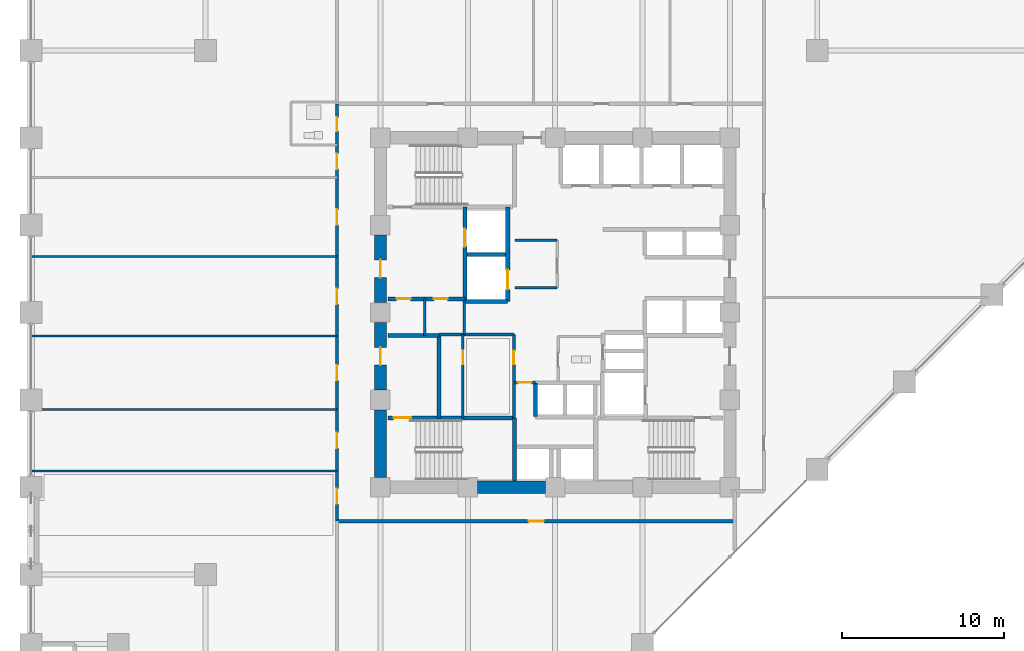
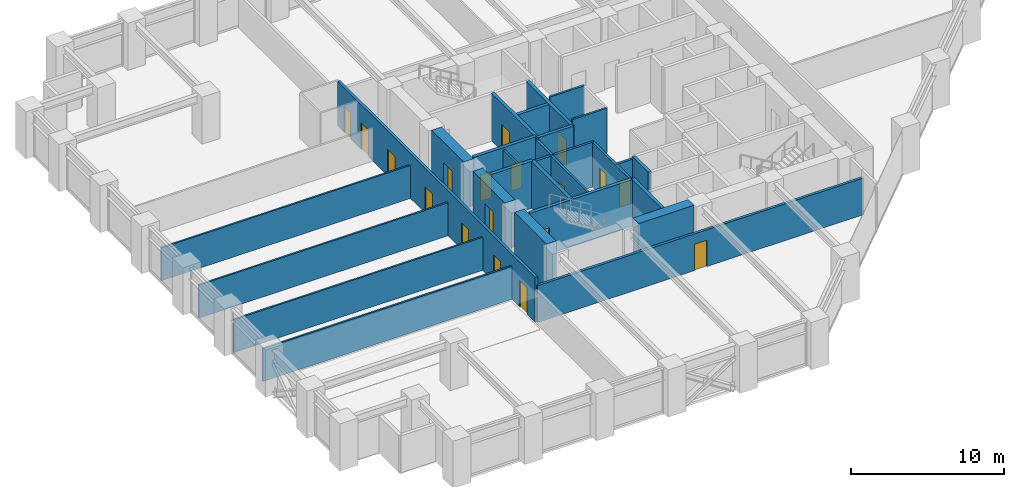
# One storey, part 20 of 25: 28 walls, 18 doors, 18 openings.
"""IFC4 building model written with IfcOpenShell, lengths in metres."""

import ifcopenshell
import ifcopenshell.guid

model = None  # the IFC model being written
_history = None  # IfcOwnerHistory: only IFC2X3 demands one
_inside = {}  # id of a spatial element -> (the spatial element, [elements in it])
_under = {}  # id of a project, library or spatial element -> (it, [spatial elements below it])
_declared = {}  # id of a project -> (the project, [libraries it declares])
_typed = {}  # id of a type object -> (the type object, [elements of that type])
_made_of = {}  # id of a material, layer set ... -> (it, [elements and type objects made of it])


def new_model(schema):
    """Start an empty IFC model of exactly this schema.

    Asked for "IFC4X3", IfcOpenShell would pick the latest addendum, in which some entities
    have other attributes; the version numbers below select the first issue.
    IFC2X3 requires an IfcOwnerHistory on every rooted entity: one is made here for all.
    """
    global model, _history
    if schema == "IFC4X3":
        model = ifcopenshell.file(schema_version=(4, 3, 0, 0))
    else:
        model = ifcopenshell.file(schema=schema)
    _inside.clear()
    _under.clear()
    _declared.clear()
    _typed.clear()
    _made_of.clear()
    _history = None
    if model.schema == "IFC2X3":
        org = make("IfcOrganization", Name="unknown")
        user = make(
            "IfcPersonAndOrganization",
            ThePerson=make("IfcPerson", FamilyName="unknown"),
            TheOrganization=org,
        )
        app = make(
            "IfcApplication",
            ApplicationDeveloper=org,
            Version="unknown",
            ApplicationFullName="unknown",
            ApplicationIdentifier="unknown",
        )
        _history = make(
            "IfcOwnerHistory",
            OwningUser=user,
            OwningApplication=app,
            ChangeAction="ADDED",
            CreationDate=0,
        )
    return model


def make(cls, **values):
    """One entity of the class cls with the attributes given. An attribute that is None is left unset."""
    return model.create_entity(
        cls, **{name: value for name, value in values.items() if value is not None}
    )


def rooted(cls, **values):
    """An entity with a GlobalId (a new one), such as an element, a storey or a relation."""
    return make(cls, GlobalId=ifcopenshell.guid.new(), OwnerHistory=_history, **values)


def si_unit(unit_type, name, prefix=None):
    """IfcSIUnit, for example si_unit("LENGTHUNIT", "METRE", prefix="MILLI")."""
    return make("IfcSIUnit", UnitType=unit_type, Prefix=prefix, Name=name)


def assignment(units):
    """IfcUnitAssignment: the units of a project."""
    return None if units is None else make("IfcUnitAssignment", Units=units)


def point(xyz):
    """IfcCartesianPoint."""
    return None if xyz is None else make("IfcCartesianPoint", Coordinates=xyz)


def direction(xyz):
    """IfcDirection."""
    return None if xyz is None else make("IfcDirection", DirectionRatios=xyz)


def frame(location, z_axis=None, x_axis=None):
    """IfcAxis2Placement3D, a coordinate frame: its origin and axes. An axis left out is left unset."""
    return make(
        "IfcAxis2Placement3D",
        Location=point(location),
        Axis=direction(z_axis),
        RefDirection=direction(x_axis),
    )


def frame_2d(location, x_axis=None):
    """IfcAxis2Placement2D, a coordinate frame in the plane: its origin and x axis."""
    return make(
        "IfcAxis2Placement2D", Location=point(location), RefDirection=direction(x_axis)
    )


def origin():
    """The frame at (0, 0, 0) with its axes left unset."""
    return frame((0.0, 0.0, 0.0))


def place(relative_to, where):
    """IfcLocalPlacement: puts the frame where relative to a parent placement (None: the world)."""
    return make(
        "IfcLocalPlacement", PlacementRelTo=relative_to, RelativePlacement=where
    )


def context(
    kind, dimensions, precision=None, world=None, true_north=None, identifier=None
):
    """IfcGeometricRepresentationContext, for example the 3D "Model" context."""
    return make(
        "IfcGeometricRepresentationContext",
        ContextIdentifier=identifier,
        ContextType=kind,
        CoordinateSpaceDimension=dimensions,
        Precision=precision,
        WorldCoordinateSystem=world,
        TrueNorth=true_north,
    )


def subcontext(parent, identifier, kind, view, scale=None):
    """IfcGeometricRepresentationSubContext, for example "Body" below "Model"."""
    return make(
        "IfcGeometricRepresentationSubContext",
        ContextIdentifier=identifier,
        ContextType=kind,
        ParentContext=parent,
        TargetScale=scale,
        TargetView=view,
    )


def project(units=None, contexts=None):
    """IfcProject with its units and contexts."""
    return rooted(
        "IfcProject",
        Name="project",
        RepresentationContexts=contexts,
        UnitsInContext=assignment(units),
    )


def spatial(cls, under=None, at=None, **own):
    """A site, building, storey or space (cls), placed at a placement, below another one or the project."""
    s = rooted(cls, ObjectPlacement=at, **own)
    if under is not None:
        _under.setdefault(under.id(), (under, []))[1].append(s)
    return s


def profile(cls, at=None, kind="AREA", **sizes):
    """A parametric profile (cls). Its sizes go by their IFC names, for example OverallWidth=200.0."""
    return make(cls, ProfileType=kind, Position=at, **sizes)


def rectangle(**sizes):
    """IfcRectangleProfileDef."""
    return profile("IfcRectangleProfileDef", **sizes)


def extrude(swept, where, along, depth):
    """IfcExtrudedAreaSolid: the profile swept, set in the frame where, extruded along a direction by depth."""
    return make(
        "IfcExtrudedAreaSolid",
        SweptArea=swept,
        Position=where,
        ExtrudedDirection=direction(along),
        Depth=depth,
    )


def shape(context_of_items, identifier, shape_type, items):
    """IfcShapeRepresentation: the items that make up one representation, for example the "Body"."""
    return make(
        "IfcShapeRepresentation",
        ContextOfItems=context_of_items,
        RepresentationIdentifier=identifier,
        RepresentationType=shape_type,
        Items=items,
    )


def material(Name=None, Category=None):
    """IfcMaterial."""
    return make("IfcMaterial", Name=Name, Category=Category)


def layer(
    of_material, thickness, ventilated=None, Name=None, Category=None, Priority=None
):
    """IfcMaterialLayer: one layer of a wall or slab, of a material (None: an air gap)."""
    return make(
        "IfcMaterialLayer",
        Material=of_material,
        LayerThickness=thickness,
        IsVentilated=ventilated,
        Name=Name,
        Category=Category,
        Priority=Priority,
    )


def layer_set(layers, Name=None):
    """IfcMaterialLayerSet."""
    return make("IfcMaterialLayerSet", MaterialLayers=layers, LayerSetName=Name)


def made_of(thing, what):
    """Note that an element or type object is made of a material, layer set ...; save() writes the relation."""
    if what is not None:
        _made_of.setdefault(what.id(), (what, []))[1].append(thing)
    return thing


def type_object(cls, material=None, **own):
    """A type object (cls), such as IfcWallType, which elements share."""
    return made_of(rooted(cls, **own), material)


def element(
    cls,
    number,
    at=None,
    inside=None,
    cuts=None,
    type_object=None,
    material=None,
    context=None,
    identifier="Body",
    shape_type=None,
    held_by="IfcProductDefinitionShape",
    body=None,
    shapes=None,
    **own,
):
    """One element of the class cls, such as IfcWall. Its Tag is "e" and its number.

    at: its placement. inside: the storey or other place that contains it. cuts: it is an
    opening in that element (IfcRelVoidsElement). A single representation is given by context,
    identifier, shape_type and body (its items); several are given by shapes. held_by: the class
    of the entity that holds the representations. save() writes the other relations.
    """
    e = rooted(cls, Tag="e%d" % number, ObjectPlacement=at, **own)
    if body is not None:
        shapes = [shape(context, identifier, shape_type, body)]
    if shapes is not None:
        e.Representation = make(held_by, Representations=shapes)
    if inside is not None:
        _inside.setdefault(inside.id(), (inside, []))[1].append(e)
    if cuts is not None:
        rooted(
            "IfcRelVoidsElement", RelatingBuildingElement=cuts, RelatedOpeningElement=e
        )
    if type_object is not None:
        _typed.setdefault(type_object.id(), (type_object, []))[1].append(e)
    return made_of(e, material)


def fill(opening, filler):
    """IfcRelFillsElement: the door or window that sits in an opening."""
    return rooted(
        "IfcRelFillsElement",
        RelatingOpeningElement=opening,
        RelatedBuildingElement=filler,
    )


def aggregate(whole, parts):
    """IfcRelAggregates: a whole, such as a stair, and the parts it consists of."""
    return rooted("IfcRelAggregates", RelatingObject=whole, RelatedObjects=parts)


def save(model, path):
    """Write the relations noted so far, then the file.

    IfcRelAggregates (storeys below a building ...), IfcRelContainedInSpatialStructure (elements
    in a storey), IfcRelDefinesByType, IfcRelAssociatesMaterial and IfcRelDeclares: one each for
    every whole, place, type object, material and project.
    """
    for whole, parts in _under.values():
        aggregate(whole, parts)
    for where, things in _inside.values():
        rooted(
            "IfcRelContainedInSpatialStructure",
            RelatedElements=things,
            RelatingStructure=where,
        )
    for kind, things in _typed.values():
        rooted("IfcRelDefinesByType", RelatedObjects=things, RelatingType=kind)
    for what, things in _made_of.values():
        rooted("IfcRelAssociatesMaterial", RelatedObjects=things, RelatingMaterial=what)
    for by, libraries in _declared.values():
        rooted("IfcRelDeclares", RelatingContext=by, RelatedDefinitions=libraries)
    model.write(path)


model = new_model("IFC4")

# Units and contexts
model_context = context("Model", 3, precision=1e-05, world=origin(), true_north=direction((0.0, 1.0)))
body_context = subcontext(model_context, "Body", "Model", "MODEL_VIEW")
ifc_project = project(units=[si_unit("LENGTHUNIT", "METRE"), si_unit("AREAUNIT", "SQUARE_METRE"), si_unit("VOLUMEUNIT", "CUBIC_METRE"), si_unit("PLANEANGLEUNIT", "RADIAN"), si_unit("MASSUNIT", "GRAM", prefix="KILO")], contexts=[model_context])

# Site, building, storey
site_placement = place(None, origin())
site = spatial("IfcSite", under=ifc_project, at=site_placement, CompositionType="ELEMENT")
building_placement = place(site_placement, origin())
building = spatial("IfcBuilding", under=site, at=building_placement, Name="Surkhivell Harbour Commons", CompositionType="ELEMENT")
storey_placement = place(building_placement, frame((0.0, 0.0, 41.25)))
storey = spatial("IfcBuildingStorey", under=building, at=storey_placement, Name="L10", CompositionType="ELEMENT", Elevation=41.25)

# Walls
ifc_material_1 = material(Name="Concrete C60/75", Category="concrete")
ifc_layer_1 = layer(ifc_material_1, 0.75)
ifc_layer_set_1 = layer_set([ifc_layer_1], Name="Concrete C60/75")
wall_type_1 = type_object("IfcWallType", Name="WAL-CORE-750", PredefinedType="SHEAR", material=ifc_layer_set_1)
for number, where, z_axis, x_axis, name in (
    (1, (-10.800048828125, -10.18994140625, 0.0), (0.0, 0.0, 1.0), (0.0, 1.0, 0.0), "L10 Core Shear Wall West 1"),
    (2, (-4.7900390625, -10.800048828125, 0.0), (0.0, 0.0, 1.0), (1.0, 0.0, 0.0), "L10 Core Shear Wall South 2"),
):
    element("IfcWall", number, at=place(storey_placement, frame(where, z_axis=z_axis, x_axis=x_axis)), inside=storey, type_object=wall_type_1, Name=name, PredefinedType="SHEAR", context=body_context, shape_type="SweptSolid", body=[
        extrude(rectangle(XDim=4.179931640625, YDim=0.75, at=frame_2d((2.08984375, 0.0))), origin(), (0.0, 0.0, 1.0), 3.75),
    ])

# Wall, opening, door
wall_1_placement = place(storey_placement, frame((-10.800048828125, -4.7900390625, 0.0), z_axis=(0.0, 0.0, 1.0), x_axis=(0.0, 1.0, 0.0)))
wall_1 = element("IfcWall", 3, at=wall_1_placement, inside=storey, type_object=wall_type_1, Name="L10 Core Shear Wall West 2", PredefinedType="SHEAR", context=body_context, shape_type="SweptSolid", body=[
    extrude(rectangle(XDim=4.179931640625, YDim=0.75, at=frame_2d((2.08984375, 0.0))), origin(), (0.0, 0.0, 1.0), 3.75),
])
opening_1_placement = place(wall_1_placement, frame((1.5400390625, 0.0, 0.0)))
opening_1 = element("IfcOpeningElement", 4, at=opening_1_placement, cuts=wall_1, Name="Opening ID-2", PredefinedType="OPENING", context=body_context, shape_type="SweptSolid", body=[
    extrude(rectangle(XDim=1.10009765625, YDim=2.10009765625, at=frame_2d((0.550048828125, 1.050048828125))), frame((0.0, 0.385009765625, 0.0), z_axis=(0.0, -1.0, 0.0), x_axis=(1.0, 0.0, 0.0)), (0.0, 0.0, 1.0), 0.77001953125),
])
ifc_material_2 = material(Name="Hardwood-veneered fire-rated door leaf", Category="wood")
door_type_1 = type_object("IfcDoorType", Name="DOR-FD60-1100", OperationType="NOTDEFINED", PredefinedType="DOOR", material=ifc_material_2)
door_1_placement = place(opening_1_placement, origin())
door_1 = element("IfcDoor", 5, at=door_1_placement, inside=storey, type_object=door_type_1, Name="L10 Stair 3 Lobby Corridor Door", OperationType="SINGLE_SWING_LEFT", OverallHeight=2.10009765625, OverallWidth=1.10009765625, PredefinedType="DOOR", context=body_context, shape_type="SweptSolid", body=[
    extrude(rectangle(XDim=1.10009765625, YDim=2.10009765625, at=frame_2d((0.550048828125, 1.050048828125))), frame((0.0, 0.02490234375, 0.0), z_axis=(0.0, -1.0, 0.0), x_axis=(1.0, 0.0, 0.0)), (0.0, 0.0, 1.0), 0.050048828125),
])
fill(opening_1, door_1)

wall_2_placement = place(storey_placement, frame((-10.800048828125, 0.610107421875, 0.0), z_axis=(0.0, 0.0, 1.0), x_axis=(0.0, 1.0, 0.0)))
wall_2 = element("IfcWall", 6, at=wall_2_placement, inside=storey, type_object=wall_type_1, Name="L10 Core Shear Wall West 3", PredefinedType="SHEAR", context=body_context, shape_type="SweptSolid", body=[
    extrude(rectangle(XDim=4.179931640625, YDim=0.75, at=frame_2d((2.08984375, 0.0))), origin(), (0.0, 0.0, 1.0), 3.75),
])
opening_2_placement = place(wall_2_placement, frame((1.5400390625, 0.0, 0.0)))
opening_2 = element("IfcOpeningElement", 7, at=opening_2_placement, cuts=wall_2, Name="Opening ID-1", PredefinedType="OPENING", context=body_context, shape_type="SweptSolid", body=[
    extrude(rectangle(XDim=1.10009765625, YDim=2.10009765625, at=frame_2d((0.550048828125, 1.050048828125))), frame((0.0, 0.385009765625, 0.0), z_axis=(0.0, -1.0, 0.0), x_axis=(1.0, 0.0, 0.0)), (0.0, 0.0, 1.0), 0.77001953125),
])
door_type_2 = type_object("IfcDoorType", Name="DOR-FD120-1100", OperationType="NOTDEFINED", PredefinedType="DOOR", material=ifc_material_2)
door_2_placement = place(opening_2_placement, origin())
door_2 = element("IfcDoor", 8, at=door_2_placement, inside=storey, type_object=door_type_2, Name="L10 Firefighting Lobby 1 Corridor Door", OperationType="SINGLE_SWING_LEFT", OverallHeight=2.10009765625, OverallWidth=1.10009765625, PredefinedType="DOOR", context=body_context, shape_type="SweptSolid", body=[
    extrude(rectangle(XDim=1.10009765625, YDim=2.10009765625, at=frame_2d((0.550048828125, 1.050048828125))), frame((0.0, 0.02490234375, 0.0), z_axis=(0.0, -1.0, 0.0), x_axis=(1.0, 0.0, 0.0)), (0.0, 0.0, 1.0), 0.050048828125),
])
fill(opening_2, door_2)

# Walls
ifc_material_3 = material(Name="Moisture-resistant acoustic stud partition", Category="other")
ifc_layer_2 = layer(ifc_material_3, 0.125)
ifc_layer_set_2 = layer_set([ifc_layer_2], Name="Moisture-resistant acoustic stud partition")
wall_type_2 = type_object("IfcWallType", Name="WAL-INT-125", PredefinedType="PARTITIONING", material=ifc_layer_set_2)
for number, where, z_axis, x_axis, name in (
    (9, (-32.340087890625, -5.989990234375, 0.0), (0.0, 0.0, 1.0), (1.0, 0.0, 0.0), "L10 West Partition BDP1"),
    (10, (-32.340087890625, -1.449951171875, 0.0), (0.0, 0.0, 1.0), (1.0, 0.0, 0.0), "L10 West Partition BDP2"),
    (11, (-32.340087890625, 3.449951171875, 0.0), (0.0, 0.0, 1.0), (1.0, 0.0, 0.0), "L10 West Partition BDP3"),
    (12, (-32.340087890625, -9.800048828125, 0.0), (0.0, 0.0, 1.0), (1.0, 0.0, 0.0), "L10 West Partition PBOT"),
):
    element("IfcWall", number, at=place(storey_placement, frame(where, z_axis=z_axis, x_axis=x_axis)), inside=storey, type_object=wall_type_2, Name=name, PredefinedType="PARTITIONING", context=body_context, shape_type="SweptSolid", body=[
        extrude(rectangle(XDim=18.860107421875, YDim=0.125, at=frame_2d((9.43017578125, 0.0))), origin(), (0.0, 0.0, 1.0), 2.62890625),
    ])

# Wall, opening, door
ifc_material_4 = material(Name="Twin-stud acoustic fireboard partition", Category="other")
ifc_layer_3 = layer(ifc_material_4, 0.14990234375)
ifc_layer_set_3 = layer_set([ifc_layer_3], Name="Twin-stud acoustic fireboard partition")
wall_type_3 = type_object("IfcWallType", Name="WAL-INT-150", PredefinedType="PARTITIONING", material=ifc_layer_set_3)
wall_3_placement = place(storey_placement, frame((-5.699951171875, -6.510009765625, 0.0), z_axis=(0.0, 0.0, 1.0), x_axis=(0.0, 1.0, 0.0)))
wall_3 = element("IfcWall", 13, at=wall_3_placement, inside=storey, type_object=wall_type_3, Name="L10 Core Cut B Partition", PredefinedType="PARTITIONING", context=body_context, shape_type="SweptSolid", body=[
    extrude(rectangle(XDim=5.159912109375, YDim=0.14990234375, at=frame_2d((2.580078125, 0.0))), origin(), (0.0, 0.0, 1.0), 3.570068359375),
])
opening_3_placement = place(wall_3_placement, frame((3.300048828125, 0.0, 0.0)))
opening_3 = element("IfcOpeningElement", 14, at=opening_3_placement, cuts=wall_3, Name="Opening ID-6", PredefinedType="OPENING", context=body_context, shape_type="SweptSolid", body=[
    extrude(rectangle(XDim=0.85009765625, YDim=2.10009765625, at=frame_2d((0.425048828125, 1.050048828125))), frame((0.0, 0.0849609375, 0.0), z_axis=(0.0, -1.0, 0.0), x_axis=(1.0, 0.0, 0.0)), (0.0, 0.0, 1.0), 0.169921875),
])
door_type_3 = type_object("IfcDoorType", Name="DOR-FD30-850", OperationType="NOTDEFINED", PredefinedType="DOOR", material=ifc_material_2)
door_3_placement = place(opening_3_placement, origin())
door_3 = element("IfcDoor", 15, at=door_3_placement, inside=storey, type_object=door_type_3, Name="L10 Core Focus Study Door", OperationType="SINGLE_SWING_RIGHT", OverallHeight=2.10009765625, OverallWidth=0.85009765625, PredefinedType="DOOR", context=body_context, shape_type="SweptSolid", body=[
    extrude(rectangle(XDim=0.85009765625, YDim=2.10009765625, at=frame_2d((0.425048828125, 1.050048828125))), frame((0.0, 0.02490234375, 0.0), z_axis=(0.0, -1.0, 0.0), x_axis=(1.0, 0.0, 0.0)), (0.0, 0.0, 1.0), 0.050048828125),
])
fill(opening_3, door_3)

# Walls
wall_4_placement = place(storey_placement, frame((-8.050048828125, -1.419921875, 0.0), z_axis=(0.0, 0.0, 1.0), x_axis=(0.0, 1.0, 0.0)))
element("IfcWall", 16, at=wall_4_placement, inside=storey, type_object=wall_type_3, Name="L10 West Seminar Booth Divider", PredefinedType="PARTITIONING", context=body_context, shape_type="SweptSolid", body=[
    extrude(rectangle(XDim=2.27001953125, YDim=0.14990234375, at=frame_2d((1.135009765625, 0.0))), origin(), (0.0, 0.0, 1.0), 3.570068359375),
])
for number, where, z_axis, x_axis, name in (
    (17, (-2.47998046875, 4.47998046875, 0.0), (0.0, 0.0, 1.0), (1.0, 0.0, 0.0), "L10 Central Reading North Wall"),
    (18, (-2.47998046875, 1.52001953125, 0.0), (0.0, 0.0, 1.0), (1.0, 0.0, 0.0), "L10 Central Reading South Wall"),
):
    element("IfcWall", number, at=place(storey_placement, frame(where, z_axis=z_axis, x_axis=x_axis)), inside=storey, type_object=wall_type_3, Name=name, PredefinedType="PARTITIONING", context=body_context, shape_type="SweptSolid", body=[
        extrude(rectangle(XDim=2.60009765625, YDim=0.14990234375, at=frame_2d((1.300048828125, 0.0))), origin(), (0.0, 0.0, 1.0), 3.570068359375),
    ])

# Wall, opening, door
ifc_material_5 = material(Name="High-density acoustic blockwork fire partition", Category="masonry")
ifc_layer_4 = layer(ifc_material_5, 0.175048828125)
ifc_layer_set_4 = layer_set([ifc_layer_4], Name="High-density acoustic blockwork fire partition")
wall_type_4 = type_object("IfcWallType", Name="WAL-INT-175", PredefinedType="PARTITIONING", material=ifc_layer_set_4)
wall_5_placement = place(storey_placement, frame((-2.550048828125, -6.510009765625, 0.0), z_axis=(0.0, 0.0, 1.0), x_axis=(0.0, 1.0, 0.0)))
wall_5 = element("IfcWall", 19, at=wall_5_placement, inside=storey, type_object=wall_type_4, Name="L10 Core Service Bay East Wall", PredefinedType="PARTITIONING", context=body_context, shape_type="SweptSolid", body=[
    extrude(rectangle(XDim=5.159912109375, YDim=0.175048828125, at=frame_2d((2.580078125, 0.0))), origin(), (0.0, 0.0, 1.0), 3.570068359375),
])
opening_4_placement = place(wall_5_placement, frame((3.300048828125, 0.0, 0.0)))
opening_4 = element("IfcOpeningElement", 20, at=opening_4_placement, cuts=wall_5, Name="Opening ID-6", PredefinedType="OPENING", context=body_context, shape_type="SweptSolid", body=[
    extrude(rectangle(XDim=0.85009765625, YDim=2.10009765625, at=frame_2d((0.425048828125, 1.050048828125))), frame((0.0, 0.097412109375, 0.0), z_axis=(0.0, -1.0, 0.0), x_axis=(1.0, 0.0, 0.0)), (0.0, 0.0, 1.0), 0.195068359375),
])
door_4_placement = place(opening_4_placement, origin())
door_4 = element("IfcDoor", 21, at=door_4_placement, inside=storey, type_object=door_type_3, Name="L10 Core Music Door", OperationType="SINGLE_SWING_LEFT", OverallHeight=2.10009765625, OverallWidth=0.85009765625, PredefinedType="DOOR", context=body_context, shape_type="SweptSolid", body=[
    extrude(rectangle(XDim=0.85009765625, YDim=2.10009765625, at=frame_2d((0.425048828125, 1.050048828125))), frame((0.0, 0.02490234375, 0.0), z_axis=(0.0, -1.0, 0.0), x_axis=(1.0, 0.0, 0.0)), (0.0, 0.0, 1.0), 0.050048828125),
])
fill(opening_4, door_4)

# Walls
wall_6_placement = place(storey_placement, frame((-7.179931640625, -1.35009765625, 0.0), z_axis=(0.0, 0.0, 1.0), x_axis=(1.0, 0.0, 0.0)))
element("IfcWall", 22, at=wall_6_placement, inside=storey, type_object=wall_type_4, Name="L10 Core Service Bay North Wall", PredefinedType="PARTITIONING", context=body_context, shape_type="SweptSolid", body=[
    extrude(rectangle(XDim=4.6298828125, YDim=0.175048828125, at=frame_2d((2.31494140625, 0.0))), origin(), (0.0, 0.0, 1.0), 3.570068359375),
])
wall_7_placement = place(storey_placement, frame((-5.6201171875, -1.35009765625, 0.0), z_axis=(0.0, 0.0, 1.0), x_axis=(0.0, 1.0, 0.0)))
element("IfcWall", 23, at=wall_7_placement, inside=storey, type_object=wall_type_4, Name="L10 West Core Bay East Wall", PredefinedType="PARTITIONING", context=body_context, shape_type="SweptSolid", body=[
    extrude(rectangle(XDim=2.070068359375, YDim=0.175048828125, at=frame_2d((1.03515625, 0.0))), origin(), (0.0, 0.0, 1.0), 3.570068359375),
])

# Wall, opening, door
wall_8_placement = place(storey_placement, frame((-2.52001953125, -4.320068359375, 0.0), z_axis=(0.0, 0.0, 1.0), x_axis=(1.0, 0.0, 0.0)))
wall_8 = element("IfcWall", 24, at=wall_8_placement, inside=storey, type_object=wall_type_4, Name="L10 High-Rise Lobby North Portal Wall", PredefinedType="PARTITIONING", context=body_context, shape_type="SweptSolid", body=[
    extrude(rectangle(XDim=1.300048828125, YDim=0.175048828125, at=frame_2d((0.64990234375, 0.0))), origin(), (0.0, 0.0, 1.0), 3.570068359375),
])
opening_5_placement = place(wall_8_placement, frame((0.219970703125, 0.0, 0.0)))
opening_5 = element("IfcOpeningElement", 25, at=opening_5_placement, cuts=wall_8, Name="Opening ID-6", PredefinedType="OPENING", context=body_context, shape_type="SweptSolid", body=[
    extrude(rectangle(XDim=0.85009765625, YDim=2.10009765625, at=frame_2d((0.425048828125, 1.050048828125))), frame((0.0, 0.097412109375, 0.0), z_axis=(0.0, -1.0, 0.0), x_axis=(1.0, 0.0, 0.0)), (0.0, 0.0, 1.0), 0.195068359375),
])
door_5_placement = place(opening_5_placement, origin())
door_5 = element("IfcDoor", 26, at=door_5_placement, inside=storey, type_object=door_type_3, Name="L10 High-Rise Lift Lobby North Door", OperationType="SINGLE_SWING_LEFT", OverallHeight=2.10009765625, OverallWidth=0.85009765625, PredefinedType="DOOR", context=body_context, shape_type="SweptSolid", body=[
    extrude(rectangle(XDim=0.85009765625, YDim=2.10009765625, at=frame_2d((0.425048828125, 1.050048828125))), frame((0.0, 0.02490234375, 0.0), z_axis=(0.0, -1.0, 0.0), x_axis=(1.0, 0.0, 0.0)), (0.0, 0.0, 1.0), 0.050048828125),
])
fill(opening_5, door_5)

ifc_material_6 = material(Name="Autoclaved aerated concrete blockwork and fire plaster", Category="masonry")
ifc_layer_5 = layer(ifc_material_6, 0.199951171875)
ifc_layer_set_5 = layer_set([ifc_layer_5], Name="Autoclaved aerated concrete blockwork and fire plaster")
wall_type_5 = type_object("IfcWallType", Name="WAL-INT-200", PredefinedType="PARTITIONING", material=ifc_layer_set_5)
wall_9_placement = place(storey_placement, frame((-13.47998046875, -12.89990234375, 0.0), z_axis=(0.0, 0.0, 1.0), x_axis=(1.0, 0.0, 0.0)))
wall_9 = element("IfcWall", 27, at=wall_9_placement, inside=storey, type_object=wall_type_5, Name="L10 Corridor South Wall", PredefinedType="PARTITIONING", context=body_context, shape_type="SweptSolid", body=[
    extrude(rectangle(XDim=24.580078125, YDim=0.199951171875, at=frame_2d((12.2900390625, 0.0))), origin(), (0.0, 0.0, 1.0), 2.929931640625),
])
opening_6_placement = place(wall_9_placement, frame((11.840087890625, 0.0, 0.0)))
opening_6 = element("IfcOpeningElement", 28, at=opening_6_placement, cuts=wall_9, Name="Opening ID-4", PredefinedType="OPENING", context=body_context, shape_type="SweptSolid", body=[
    extrude(rectangle(XDim=0.949951171875, YDim=2.10009765625, at=frame_2d((0.47509765625, 1.050048828125))), frame((0.0, 0.10986328125, 0.0), z_axis=(0.0, -1.0, 0.0), x_axis=(1.0, 0.0, 0.0)), (0.0, 0.0, 1.0), 0.219970703125),
])
door_type_4 = type_object("IfcDoorType", Name="DOR-FD60-950", OperationType="NOTDEFINED", PredefinedType="DOOR", material=ifc_material_2)
door_6_placement = place(opening_6_placement, origin())
door_6 = element("IfcDoor", 29, at=door_6_placement, inside=storey, type_object=door_type_4, Name="L10 Open Academic Study Commons Reading Library South Door", OperationType="SINGLE_SWING_LEFT", OverallHeight=2.10009765625, OverallWidth=0.949951171875, PredefinedType="DOOR", context=body_context, shape_type="SweptSolid", body=[
    extrude(rectangle(XDim=0.949951171875, YDim=2.10009765625, at=frame_2d((0.47509765625, 1.050048828125))), frame((0.0, 0.02490234375, 0.0), z_axis=(0.0, -1.0, 0.0), x_axis=(1.0, 0.0, 0.0)), (0.0, 0.0, 1.0), 0.050048828125),
])
fill(opening_6, door_6)

# Wall, openings, doors
wall_10_placement = place(storey_placement, frame((-13.47998046875, -12.89990234375, 0.0), z_axis=(0.0, 0.0, 1.0), x_axis=(0.0, 1.0, 0.0)))
wall_10 = element("IfcWall", 30, at=wall_10_placement, inside=storey, type_object=wall_type_5, Name="L10 Corridor West Wall", PredefinedType="PARTITIONING", context=body_context, shape_type="SweptSolid", body=[
    extrude(rectangle(XDim=25.7998046875, YDim=0.199951171875, at=frame_2d((12.89990234375, 0.0))), origin(), (0.0, 0.0, 1.0), 3.570068359375),
])
opening_7_placement = place(wall_10_placement, frame((1.070068359375, 0.0, 0.0)))
opening_7 = element("IfcOpeningElement", 31, at=opening_7_placement, cuts=wall_10, Name="Opening ID-4", PredefinedType="OPENING", context=body_context, shape_type="SweptSolid", body=[
    extrude(rectangle(XDim=0.949951171875, YDim=2.10009765625, at=frame_2d((0.47509765625, 1.050048828125))), frame((0.0, 0.10986328125, 0.0), z_axis=(0.0, -1.0, 0.0), x_axis=(1.0, 0.0, 0.0)), (0.0, 0.0, 1.0), 0.219970703125),
])
opening_8_placement = place(wall_10_placement, frame((24.10498046875, 0.0, 0.0)))
opening_8 = element("IfcOpeningElement", 32, at=opening_8_placement, cuts=wall_10, Name="Opening ID-6", PredefinedType="OPENING", context=body_context, shape_type="SweptSolid", body=[
    extrude(rectangle(XDim=0.85009765625, YDim=2.10009765625, at=frame_2d((0.425048828125, 1.050048828125))), frame((0.0, 0.10986328125, 0.0), z_axis=(0.0, -1.0, 0.0), x_axis=(1.0, 0.0, 0.0)), (0.0, 0.0, 1.0), 0.219970703125),
])
opening_9_placement = place(wall_10_placement, frame((21.77001953125, 0.0, 0.0)))
opening_9 = element("IfcOpeningElement", 33, at=opening_9_placement, cuts=wall_10, Name="Opening ID-4", PredefinedType="OPENING", context=body_context, shape_type="SweptSolid", body=[
    extrude(rectangle(XDim=0.949951171875, YDim=2.10009765625, at=frame_2d((0.47509765625, 1.050048828125))), frame((0.0, 0.10986328125, 0.0), z_axis=(0.0, -1.0, 0.0), x_axis=(1.0, 0.0, 0.0)), (0.0, 0.0, 1.0), 0.219970703125),
])
opening_10_placement = place(wall_10_placement, frame((4.52490234375, 0.0, 0.0)))
opening_10 = element("IfcOpeningElement", 34, at=opening_10_placement, cuts=wall_10, Name="Opening ID-4", PredefinedType="OPENING", context=body_context, shape_type="SweptSolid", body=[
    extrude(rectangle(XDim=0.949951171875, YDim=2.10009765625, at=frame_2d((0.47509765625, 1.050048828125))), frame((0.0, 0.10986328125, 0.0), z_axis=(0.0, -1.0, 0.0), x_axis=(1.0, 0.0, 0.0)), (0.0, 0.0, 1.0), 0.219970703125),
])
opening_11_placement = place(wall_10_placement, frame((8.699951171875, 0.0, 0.0)))
opening_11 = element("IfcOpeningElement", 35, at=opening_11_placement, cuts=wall_10, Name="Opening ID-4", PredefinedType="OPENING", context=body_context, shape_type="SweptSolid", body=[
    extrude(rectangle(XDim=0.949951171875, YDim=2.10009765625, at=frame_2d((0.47509765625, 1.050048828125))), frame((0.0, 0.10986328125, 0.0), z_axis=(0.0, -1.0, 0.0), x_axis=(1.0, 0.0, 0.0)), (0.0, 0.0, 1.0), 0.219970703125),
])
opening_12_placement = place(wall_10_placement, frame((13.419921875, 0.0, 0.0)))
opening_12 = element("IfcOpeningElement", 36, at=opening_12_placement, cuts=wall_10, Name="Opening ID-4", PredefinedType="OPENING", context=body_context, shape_type="SweptSolid", body=[
    extrude(rectangle(XDim=0.949951171875, YDim=2.10009765625, at=frame_2d((0.47509765625, 1.050048828125))), frame((0.0, 0.10986328125, 0.0), z_axis=(0.0, -1.0, 0.0), x_axis=(1.0, 0.0, 0.0)), (0.0, 0.0, 1.0), 0.219970703125),
])
opening_13_placement = place(wall_10_placement, frame((18.320068359375, 0.0, 0.0)))
opening_13 = element("IfcOpeningElement", 37, at=opening_13_placement, cuts=wall_10, Name="Opening ID-4", PredefinedType="OPENING", context=body_context, shape_type="SweptSolid", body=[
    extrude(rectangle(XDim=0.949951171875, YDim=2.10009765625, at=frame_2d((0.47509765625, 1.050048828125))), frame((0.0, 0.10986328125, 0.0), z_axis=(0.0, -1.0, 0.0), x_axis=(1.0, 0.0, 0.0)), (0.0, 0.0, 1.0), 0.219970703125),
])
door_7_placement = place(opening_8_placement, origin())
door_7 = element("IfcDoor", 38, at=door_7_placement, inside=storey, type_object=door_type_3, Name="L10 Communal Shower Bathroom West Door", OperationType="SINGLE_SWING_RIGHT", OverallHeight=2.10009765625, OverallWidth=0.85009765625, PredefinedType="DOOR", context=body_context, shape_type="SweptSolid", body=[
    extrude(rectangle(XDim=0.85009765625, YDim=2.10009765625, at=frame_2d((0.425048828125, 1.050048828125))), frame((0.0, 0.02490234375, 0.0), z_axis=(0.0, -1.0, 0.0), x_axis=(1.0, 0.0, 0.0)), (0.0, 0.0, 1.0), 0.050048828125),
])
fill(opening_8, door_7)
door_8_placement = place(opening_7_placement, origin())
door_8 = element("IfcDoor", 39, at=door_8_placement, inside=storey, type_object=door_type_4, Name="L10 Shared Communal Kitchen West Door", OperationType="SINGLE_SWING_LEFT", OverallHeight=2.10009765625, OverallWidth=0.949951171875, PredefinedType="DOOR", context=body_context, shape_type="SweptSolid", body=[
    extrude(rectangle(XDim=0.949951171875, YDim=2.10009765625, at=frame_2d((0.47509765625, 1.050048828125))), frame((0.0, 0.02490234375, 0.0), z_axis=(0.0, -1.0, 0.0), x_axis=(1.0, 0.0, 0.0)), (0.0, 0.0, 1.0), 0.050048828125),
])
fill(opening_7, door_8)
door_9_placement = place(opening_9_placement, origin())
door_9 = element("IfcDoor", 40, at=door_9_placement, inside=storey, type_object=door_type_4, Name="L10 Academic Reading Commons West Door", OperationType="SINGLE_SWING_LEFT", OverallHeight=2.10009765625, OverallWidth=0.949951171875, PredefinedType="DOOR", context=body_context, shape_type="SweptSolid", body=[
    extrude(rectangle(XDim=0.949951171875, YDim=2.10009765625, at=frame_2d((0.47509765625, 1.050048828125))), frame((0.0, 0.02490234375, 0.0), z_axis=(0.0, -1.0, 0.0), x_axis=(1.0, 0.0, 0.0)), (0.0, 0.0, 1.0), 0.050048828125),
])
fill(opening_9, door_9)
door_10_placement = place(opening_10_placement, origin())
door_10 = element("IfcDoor", 41, at=door_10_placement, inside=storey, type_object=door_type_4, Name="L10 Hostel Cluster Bedroom 1 West Door", OperationType="SINGLE_SWING_RIGHT", OverallHeight=2.10009765625, OverallWidth=0.949951171875, PredefinedType="DOOR", context=body_context, shape_type="SweptSolid", body=[
    extrude(rectangle(XDim=0.949951171875, YDim=2.10009765625, at=frame_2d((0.47509765625, 1.050048828125))), frame((0.0, 0.02490234375, 0.0), z_axis=(0.0, -1.0, 0.0), x_axis=(1.0, 0.0, 0.0)), (0.0, 0.0, 1.0), 0.050048828125),
])
fill(opening_10, door_10)
door_11_placement = place(opening_11_placement, origin())
door_11 = element("IfcDoor", 42, at=door_11_placement, inside=storey, type_object=door_type_4, Name="L10 Co-Living Dormitory Bedroom 2 West Door", OperationType="SINGLE_SWING_LEFT", OverallHeight=2.10009765625, OverallWidth=0.949951171875, PredefinedType="DOOR", context=body_context, shape_type="SweptSolid", body=[
    extrude(rectangle(XDim=0.949951171875, YDim=2.10009765625, at=frame_2d((0.47509765625, 1.050048828125))), frame((0.0, 0.02490234375, 0.0), z_axis=(0.0, -1.0, 0.0), x_axis=(1.0, 0.0, 0.0)), (0.0, 0.0, 1.0), 0.050048828125),
])
fill(opening_11, door_11)
door_12_placement = place(opening_12_placement, origin())
door_12 = element("IfcDoor", 43, at=door_12_placement, inside=storey, type_object=door_type_4, Name="L10 Hostel Cluster Bedroom 3 West Door", OperationType="SINGLE_SWING_RIGHT", OverallHeight=2.10009765625, OverallWidth=0.949951171875, PredefinedType="DOOR", context=body_context, shape_type="SweptSolid", body=[
    extrude(rectangle(XDim=0.949951171875, YDim=2.10009765625, at=frame_2d((0.47509765625, 1.050048828125))), frame((0.0, 0.02490234375, 0.0), z_axis=(0.0, -1.0, 0.0), x_axis=(1.0, 0.0, 0.0)), (0.0, 0.0, 1.0), 0.050048828125),
])
fill(opening_12, door_12)
door_13_placement = place(opening_13_placement, origin())
door_13 = element("IfcDoor", 44, at=door_13_placement, inside=storey, type_object=door_type_4, Name="L10 Co-Living Dormitory Bedroom 4 West Door", OperationType="SINGLE_SWING_LEFT", OverallHeight=2.10009765625, OverallWidth=0.949951171875, PredefinedType="DOOR", context=body_context, shape_type="SweptSolid", body=[
    extrude(rectangle(XDim=0.949951171875, YDim=2.10009765625, at=frame_2d((0.47509765625, 1.050048828125))), frame((0.0, 0.02490234375, 0.0), z_axis=(0.0, -1.0, 0.0), x_axis=(1.0, 0.0, 0.0)), (0.0, 0.0, 1.0), 0.050048828125),
])
fill(opening_13, door_13)

# Wall, opening, door
ifc_material_7 = material(Name="Concrete C50/60", Category="concrete")
ifc_layer_6 = layer(ifc_material_7, 0.25)
ifc_layer_set_6 = layer_set([ifc_layer_6], Name="Concrete C50/60")
wall_type_6 = type_object("IfcWallType", Name="WAL-SHAFT-250", PredefinedType="SHEAR", material=ifc_layer_set_6)
wall_11_placement = place(storey_placement, frame((-5.580078125, 0.719970703125, 0.0), z_axis=(0.0, 0.0, 1.0), x_axis=(0.0, 1.0, 0.0)))
wall_11 = element("IfcWall", 45, at=wall_11_placement, inside=storey, type_object=wall_type_6, Name="L10 Firefighting Lobby 1 East Shaft Wall", PredefinedType="SHEAR", context=body_context, shape_type="SweptSolid", body=[
    extrude(rectangle(XDim=5.7900390625, YDim=0.25, at=frame_2d((2.89501953125, 0.0))), origin(), (0.0, 0.0, 1.0), 3.75),
])
opening_14_placement = place(wall_11_placement, frame((3.35009765625, 0.0, 0.0)))
opening_14 = element("IfcOpeningElement", 46, at=opening_14_placement, cuts=wall_11, Name="Opening LD-1", PredefinedType="OPENING", context=body_context, shape_type="SweptSolid", body=[
    extrude(rectangle(XDim=1.10009765625, YDim=2.10009765625, at=frame_2d((0.550048828125, 1.050048828125))), frame((0.0, 0.135009765625, 0.0), z_axis=(0.0, -1.0, 0.0), x_axis=(1.0, 0.0, 0.0)), (0.0, 0.0, 1.0), 0.27001953125),
])
ifc_material_8 = material(Name="Brushed stainless steel S355", Category="steel")
door_type_5 = type_object("IfcDoorType", Name="DOR-LD-1100", OperationType="SLIDING_TO_LEFT", PredefinedType="DOOR", material=ifc_material_8)
door_14_placement = place(opening_14_placement, origin())
door_14 = element("IfcDoor", 47, at=door_14_placement, inside=storey, type_object=door_type_5, Name="L10 Lift Landing Door LD-FFL1", OperationType="SLIDING_TO_LEFT", OverallHeight=2.10009765625, OverallWidth=1.10009765625, PredefinedType="DOOR", context=body_context, shape_type="SweptSolid", body=[
    extrude(rectangle(XDim=1.10009765625, YDim=2.10009765625, at=frame_2d((0.550048828125, 1.050048828125))), frame((0.0, 0.02490234375, 0.0), z_axis=(0.0, -1.0, 0.0), x_axis=(1.0, 0.0, 0.0)), (0.0, 0.0, 1.0), 0.050048828125),
])
fill(opening_14, door_14)

# Wall, openings, doors
wall_12_placement = place(storey_placement, frame((-10.340087890625, 0.85009765625, 0.0), z_axis=(0.0, 0.0, 1.0), x_axis=(1.0, 0.0, 0.0)))
wall_12 = element("IfcWall", 48, at=wall_12_placement, inside=storey, type_object=wall_type_6, Name="L10 Firefighting Lobby 1 South Wall", PredefinedType="SHEAR", context=body_context, shape_type="SweptSolid", body=[
    extrude(rectangle(XDim=4.760009765625, YDim=0.25, at=frame_2d((2.3798828125, 0.0))), origin(), (0.0, 0.0, 1.0), 3.75),
])
opening_15_placement = place(wall_12_placement, frame((0.550048828125, 0.0, 0.0)))
opening_15 = element("IfcOpeningElement", 49, at=opening_15_placement, cuts=wall_12, Name="Opening ID-6", PredefinedType="OPENING", context=body_context, shape_type="SweptSolid", body=[
    extrude(rectangle(XDim=0.85009765625, YDim=2.10009765625, at=frame_2d((0.425048828125, 1.050048828125))), frame((0.0, 0.135009765625, 0.0), z_axis=(0.0, -1.0, 0.0), x_axis=(1.0, 0.0, 0.0)), (0.0, 0.0, 1.0), 0.27001953125),
])
opening_16_placement = place(wall_12_placement, frame((2.85009765625, 0.0, 0.0)))
opening_16 = element("IfcOpeningElement", 50, at=opening_16_placement, cuts=wall_12, Name="Opening ID-6", PredefinedType="OPENING", context=body_context, shape_type="SweptSolid", body=[
    extrude(rectangle(XDim=0.85009765625, YDim=2.10009765625, at=frame_2d((0.425048828125, 1.050048828125))), frame((0.0, 0.135009765625, 0.0), z_axis=(0.0, -1.0, 0.0), x_axis=(1.0, 0.0, 0.0)), (0.0, 0.0, 1.0), 0.27001953125),
])
door_15_placement = place(opening_15_placement, origin())
door_15 = element("IfcDoor", 51, at=door_15_placement, inside=storey, type_object=door_type_3, Name="L10 West Seminar 1 Door", OperationType="SINGLE_SWING_LEFT", OverallHeight=2.10009765625, OverallWidth=0.85009765625, PredefinedType="DOOR", context=body_context, shape_type="SweptSolid", body=[
    extrude(rectangle(XDim=0.85009765625, YDim=2.10009765625, at=frame_2d((0.425048828125, 1.050048828125))), frame((0.0, 0.02490234375, 0.0), z_axis=(0.0, -1.0, 0.0), x_axis=(1.0, 0.0, 0.0)), (0.0, 0.0, 1.0), 0.050048828125),
])
fill(opening_15, door_15)
door_16_placement = place(opening_16_placement, origin())
door_16 = element("IfcDoor", 52, at=door_16_placement, inside=storey, type_object=door_type_3, Name="L10 West Seminar 2 Door", OperationType="SINGLE_SWING_RIGHT", OverallHeight=2.10009765625, OverallWidth=0.85009765625, PredefinedType="DOOR", context=body_context, shape_type="SweptSolid", body=[
    extrude(rectangle(XDim=0.85009765625, YDim=2.10009765625, at=frame_2d((0.425048828125, 1.050048828125))), frame((0.0, 0.02490234375, 0.0), z_axis=(0.0, -1.0, 0.0), x_axis=(1.0, 0.0, 0.0)), (0.0, 0.0, 1.0), 0.050048828125),
])
fill(opening_16, door_16)

# Walls
wall_13_placement = place(storey_placement, frame((-1.219970703125, -6.43994140625, 0.0), z_axis=(0.0, 0.0, 1.0), x_axis=(0.0, 1.0, 0.0)))
element("IfcWall", 53, at=wall_13_placement, inside=storey, type_object=wall_type_6, Name="L10 High-Rise Passage East Shaft Wall", PredefinedType="SHEAR", context=body_context, shape_type="SweptSolid", body=[
    extrude(rectangle(XDim=2.079833984375, YDim=0.25, at=frame_2d((1.0400390625, 0.0))), origin(), (0.0, 0.0, 1.0), 3.75),
])
wall_14_placement = place(storey_placement, frame((-2.510009765625, -10.425048828125, 0.0), z_axis=(0.0, 0.0, 1.0), x_axis=(0.0, 1.0, 0.0)))
element("IfcWall", 54, at=wall_14_placement, inside=storey, type_object=wall_type_6, Name="L10 Stair ST3 East Shear Wall", PredefinedType="SHEAR", context=body_context, shape_type="SweptSolid", body=[
    extrude(rectangle(XDim=3.9150390625, YDim=0.25, at=frame_2d((1.95751953125, 0.0))), origin(), (0.0, 0.0, 1.0), 3.75),
])
wall_15_placement = place(storey_placement, frame((-7.179931640625, -6.510009765625, 0.0), z_axis=(0.0, 0.0, 1.0), x_axis=(0.0, 1.0, 0.0)))
element("IfcWall", 55, at=wall_15_placement, inside=storey, type_object=wall_type_6, Name="L10 Stair 3 Lobby East Wall", PredefinedType="SHEAR", context=body_context, shape_type="SweptSolid", body=[
    extrude(rectangle(XDim=5.090087890625, YDim=0.25, at=frame_2d((2.544921875, 0.0))), origin(), (0.0, 0.0, 1.0), 3.75),
])
wall_16_placement = place(storey_placement, frame((-10.340087890625, -1.419921875, 0.0), z_axis=(0.0, 0.0, 1.0), x_axis=(1.0, 0.0, 0.0)))
element("IfcWall", 56, at=wall_16_placement, inside=storey, type_object=wall_type_6, Name="L10 Stair 3 Lobby North Wall", PredefinedType="SHEAR", context=body_context, shape_type="SweptSolid", body=[
    extrude(rectangle(XDim=3.16015625, YDim=0.25, at=frame_2d((1.580078125, 0.0))), origin(), (0.0, 0.0, 1.0), 3.75),
])

# Wall, opening, door
wall_17_placement = place(storey_placement, frame((-10.340087890625, -6.510009765625, 0.0), z_axis=(0.0, 0.0, 1.0), x_axis=(1.0, 0.0, 0.0)))
wall_17 = element("IfcWall", 57, at=wall_17_placement, inside=storey, type_object=wall_type_6, Name="L10 Stair ST3 North Shear Wall", PredefinedType="SHEAR", context=body_context, shape_type="SweptSolid", body=[
    extrude(rectangle(XDim=7.7001953125, YDim=0.25, at=frame_2d((3.85009765625, 0.0))), origin(), (0.0, 0.0, 1.0), 3.75),
])
opening_17_placement = place(wall_17_placement, frame((0.35009765625, 0.0, 0.0)))
opening_17 = element("IfcOpeningElement", 58, at=opening_17_placement, cuts=wall_17, Name="Opening ID-2", PredefinedType="OPENING", context=body_context, shape_type="SweptSolid", body=[
    extrude(rectangle(XDim=1.10009765625, YDim=2.10009765625, at=frame_2d((0.550048828125, 1.050048828125))), frame((0.0, 0.135009765625, 0.0), z_axis=(0.0, -1.0, 0.0), x_axis=(1.0, 0.0, 0.0)), (0.0, 0.0, 1.0), 0.27001953125),
])
door_17_placement = place(opening_17_placement, origin())
door_17 = element("IfcDoor", 59, at=door_17_placement, inside=storey, type_object=door_type_1, Name="L10 Stair ST3 Exit Door", OperationType="SINGLE_SWING_RIGHT", OverallHeight=2.10009765625, OverallWidth=1.10009765625, PredefinedType="DOOR", context=body_context, shape_type="SweptSolid", body=[
    extrude(rectangle(XDim=1.10009765625, YDim=2.10009765625, at=frame_2d((0.550048828125, 1.050048828125))), frame((0.0, 0.02490234375, 0.0), z_axis=(0.0, -1.0, 0.0), x_axis=(1.0, 0.0, 0.0)), (0.0, 0.0, 1.0), 0.050048828125),
])
fill(opening_17, door_17)

wall_18_placement = place(storey_placement, frame((-2.929931640625, 0.679931640625, 0.0), z_axis=(0.0, 0.0, 1.0), x_axis=(0.0, 1.0, 0.0)))
wall_18 = element("IfcWall", 60, at=wall_18_placement, inside=storey, type_object=wall_type_6, Name="L10 Service and Fire Lift East Shaft Wall", PredefinedType="SHEAR", context=body_context, shape_type="SweptSolid", body=[
    extrude(rectangle(XDim=5.830078125, YDim=0.25, at=frame_2d((2.9150390625, 0.0))), origin(), (0.0, 0.0, 1.0), 3.75),
])
opening_18_placement = place(wall_18_placement, frame((0.75, 0.0, 0.0)))
opening_18 = element("IfcOpeningElement", 61, at=opening_18_placement, cuts=wall_18, Name="Opening LD-2", PredefinedType="OPENING", context=body_context, shape_type="SweptSolid", body=[
    extrude(rectangle(XDim=1.199951171875, YDim=2.10009765625, at=frame_2d((0.60009765625, 1.050048828125))), frame((0.0, 0.135009765625, 0.0), z_axis=(0.0, -1.0, 0.0), x_axis=(1.0, 0.0, 0.0)), (0.0, 0.0, 1.0), 0.27001953125),
])
door_type_6 = type_object("IfcDoorType", Name="DOR-LD-1200", OperationType="SLIDING_TO_LEFT", PredefinedType="DOOR", material=ifc_material_8)
door_18_placement = place(opening_18_placement, origin())
door_18 = element("IfcDoor", 62, at=door_18_placement, inside=storey, type_object=door_type_6, Name="L10 Lift Landing Door LD-SVL1", OperationType="SLIDING_TO_LEFT", OverallHeight=2.10009765625, OverallWidth=1.199951171875, PredefinedType="DOOR", context=body_context, shape_type="SweptSolid", body=[
    extrude(rectangle(XDim=1.199951171875, YDim=2.10009765625, at=frame_2d((0.60009765625, 1.050048828125))), frame((0.0, 0.02490234375, 0.0), z_axis=(0.0, -1.0, 0.0), x_axis=(1.0, 0.0, 0.0)), (0.0, 0.0, 1.0), 0.050048828125),
])
fill(opening_18, door_18)

# Walls
wall_19_placement = place(storey_placement, frame((-5.449951171875, 3.60009765625, 0.0), z_axis=(0.0, 0.0, 1.0), x_axis=(1.0, 0.0, 0.0)))
element("IfcWall", 63, at=wall_19_placement, inside=storey, type_object=wall_type_6, Name="L10 FFL1/SVL1 Shaft Divider", PredefinedType="SHEAR", context=body_context, shape_type="SweptSolid", body=[
    extrude(rectangle(XDim=2.389892578125, YDim=0.25, at=frame_2d((1.19482421875, 0.0))), origin(), (0.0, 0.0, 1.0), 3.75),
])
wall_20_placement = place(storey_placement, frame((-5.580078125, 0.679931640625, 0.0), z_axis=(0.0, 0.0, 1.0), x_axis=(1.0, 0.0, 0.0)))
element("IfcWall", 64, at=wall_20_placement, inside=storey, type_object=wall_type_6, Name="L10 SVL1 South Shaft Wall", PredefinedType="SHEAR", context=body_context, shape_type="SweptSolid", body=[
    extrude(rectangle(XDim=2.650146484375, YDim=0.25, at=frame_2d((1.3251953125, 0.0))), origin(), (0.0, 0.0, 1.0), 3.75),
])

save(model, "model.ifc")
